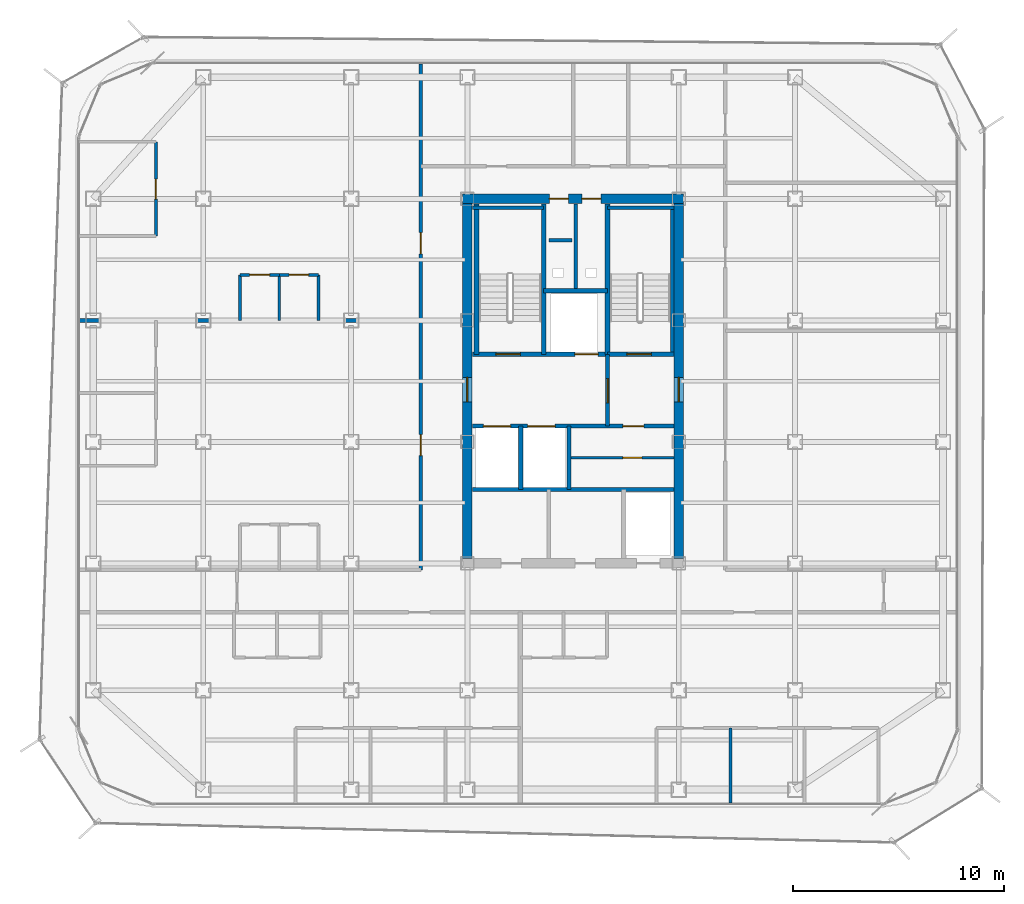
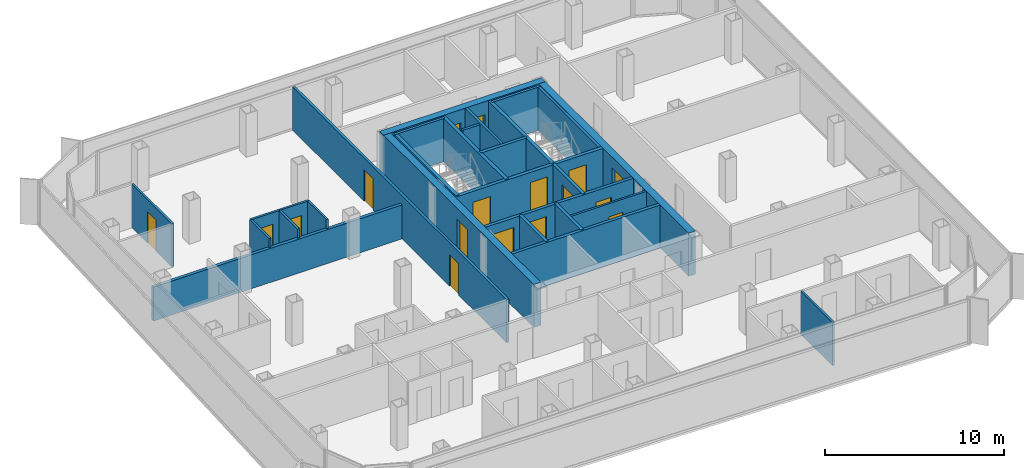
# One storey, part 11 of 15: 29 walls, 17 doors, 17 openings.
"""IFC4 building model written with IfcOpenShell, lengths in metres."""

import ifcopenshell
import ifcopenshell.guid

model = None  # the IFC model being written
_history = None  # IfcOwnerHistory: only IFC2X3 demands one
_inside = {}  # id of a spatial element -> (the spatial element, [elements in it])
_under = {}  # id of a project, library or spatial element -> (it, [spatial elements below it])
_declared = {}  # id of a project -> (the project, [libraries it declares])
_typed = {}  # id of a type object -> (the type object, [elements of that type])
_made_of = {}  # id of a material, layer set ... -> (it, [elements and type objects made of it])


def new_model(schema):
    """Start an empty IFC model of exactly this schema.

    Asked for "IFC4X3", IfcOpenShell would pick the latest addendum, in which some entities
    have other attributes; the version numbers below select the first issue.
    IFC2X3 requires an IfcOwnerHistory on every rooted entity: one is made here for all.
    """
    global model, _history
    if schema == "IFC4X3":
        model = ifcopenshell.file(schema_version=(4, 3, 0, 0))
    else:
        model = ifcopenshell.file(schema=schema)
    _inside.clear()
    _under.clear()
    _declared.clear()
    _typed.clear()
    _made_of.clear()
    _history = None
    if model.schema == "IFC2X3":
        org = make("IfcOrganization", Name="unknown")
        user = make(
            "IfcPersonAndOrganization",
            ThePerson=make("IfcPerson", FamilyName="unknown"),
            TheOrganization=org,
        )
        app = make(
            "IfcApplication",
            ApplicationDeveloper=org,
            Version="unknown",
            ApplicationFullName="unknown",
            ApplicationIdentifier="unknown",
        )
        _history = make(
            "IfcOwnerHistory",
            OwningUser=user,
            OwningApplication=app,
            ChangeAction="ADDED",
            CreationDate=0,
        )
    return model


def make(cls, **values):
    """One entity of the class cls with the attributes given. An attribute that is None is left unset."""
    return model.create_entity(
        cls, **{name: value for name, value in values.items() if value is not None}
    )


def rooted(cls, **values):
    """An entity with a GlobalId (a new one), such as an element, a storey or a relation."""
    return make(cls, GlobalId=ifcopenshell.guid.new(), OwnerHistory=_history, **values)


def si_unit(unit_type, name, prefix=None):
    """IfcSIUnit, for example si_unit("LENGTHUNIT", "METRE", prefix="MILLI")."""
    return make("IfcSIUnit", UnitType=unit_type, Prefix=prefix, Name=name)


def assignment(units):
    """IfcUnitAssignment: the units of a project."""
    return None if units is None else make("IfcUnitAssignment", Units=units)


def point(xyz):
    """IfcCartesianPoint."""
    return None if xyz is None else make("IfcCartesianPoint", Coordinates=xyz)


def direction(xyz):
    """IfcDirection."""
    return None if xyz is None else make("IfcDirection", DirectionRatios=xyz)


def frame(location, z_axis=None, x_axis=None):
    """IfcAxis2Placement3D, a coordinate frame: its origin and axes. An axis left out is left unset."""
    return make(
        "IfcAxis2Placement3D",
        Location=point(location),
        Axis=direction(z_axis),
        RefDirection=direction(x_axis),
    )


def frame_2d(location, x_axis=None):
    """IfcAxis2Placement2D, a coordinate frame in the plane: its origin and x axis."""
    return make(
        "IfcAxis2Placement2D", Location=point(location), RefDirection=direction(x_axis)
    )


def origin():
    """The frame at (0, 0, 0) with its axes left unset."""
    return frame((0.0, 0.0, 0.0))


def place(relative_to, where):
    """IfcLocalPlacement: puts the frame where relative to a parent placement (None: the world)."""
    return make(
        "IfcLocalPlacement", PlacementRelTo=relative_to, RelativePlacement=where
    )


def context(
    kind, dimensions, precision=None, world=None, true_north=None, identifier=None
):
    """IfcGeometricRepresentationContext, for example the 3D "Model" context."""
    return make(
        "IfcGeometricRepresentationContext",
        ContextIdentifier=identifier,
        ContextType=kind,
        CoordinateSpaceDimension=dimensions,
        Precision=precision,
        WorldCoordinateSystem=world,
        TrueNorth=true_north,
    )


def subcontext(parent, identifier, kind, view, scale=None):
    """IfcGeometricRepresentationSubContext, for example "Body" below "Model"."""
    return make(
        "IfcGeometricRepresentationSubContext",
        ContextIdentifier=identifier,
        ContextType=kind,
        ParentContext=parent,
        TargetScale=scale,
        TargetView=view,
    )


def project(units=None, contexts=None):
    """IfcProject with its units and contexts."""
    return rooted(
        "IfcProject",
        Name="project",
        RepresentationContexts=contexts,
        UnitsInContext=assignment(units),
    )


def spatial(cls, under=None, at=None, **own):
    """A site, building, storey or space (cls), placed at a placement, below another one or the project."""
    s = rooted(cls, ObjectPlacement=at, **own)
    if under is not None:
        _under.setdefault(under.id(), (under, []))[1].append(s)
    return s


def profile(cls, at=None, kind="AREA", **sizes):
    """A parametric profile (cls). Its sizes go by their IFC names, for example OverallWidth=200.0."""
    return make(cls, ProfileType=kind, Position=at, **sizes)


def rectangle(**sizes):
    """IfcRectangleProfileDef."""
    return profile("IfcRectangleProfileDef", **sizes)


def extrude(swept, where, along, depth):
    """IfcExtrudedAreaSolid: the profile swept, set in the frame where, extruded along a direction by depth."""
    return make(
        "IfcExtrudedAreaSolid",
        SweptArea=swept,
        Position=where,
        ExtrudedDirection=direction(along),
        Depth=depth,
    )


def shape(context_of_items, identifier, shape_type, items):
    """IfcShapeRepresentation: the items that make up one representation, for example the "Body"."""
    return make(
        "IfcShapeRepresentation",
        ContextOfItems=context_of_items,
        RepresentationIdentifier=identifier,
        RepresentationType=shape_type,
        Items=items,
    )


def material(Name=None, Category=None):
    """IfcMaterial."""
    return make("IfcMaterial", Name=Name, Category=Category)


def layer(
    of_material, thickness, ventilated=None, Name=None, Category=None, Priority=None
):
    """IfcMaterialLayer: one layer of a wall or slab, of a material (None: an air gap)."""
    return make(
        "IfcMaterialLayer",
        Material=of_material,
        LayerThickness=thickness,
        IsVentilated=ventilated,
        Name=Name,
        Category=Category,
        Priority=Priority,
    )


def layer_set(layers, Name=None):
    """IfcMaterialLayerSet."""
    return make("IfcMaterialLayerSet", MaterialLayers=layers, LayerSetName=Name)


def made_of(thing, what):
    """Note that an element or type object is made of a material, layer set ...; save() writes the relation."""
    if what is not None:
        _made_of.setdefault(what.id(), (what, []))[1].append(thing)
    return thing


def type_object(cls, material=None, **own):
    """A type object (cls), such as IfcWallType, which elements share."""
    return made_of(rooted(cls, **own), material)


def element(
    cls,
    number,
    at=None,
    inside=None,
    cuts=None,
    type_object=None,
    material=None,
    context=None,
    identifier="Body",
    shape_type=None,
    held_by="IfcProductDefinitionShape",
    body=None,
    shapes=None,
    **own,
):
    """One element of the class cls, such as IfcWall. Its Tag is "e" and its number.

    at: its placement. inside: the storey or other place that contains it. cuts: it is an
    opening in that element (IfcRelVoidsElement). A single representation is given by context,
    identifier, shape_type and body (its items); several are given by shapes. held_by: the class
    of the entity that holds the representations. save() writes the other relations.
    """
    e = rooted(cls, Tag="e%d" % number, ObjectPlacement=at, **own)
    if body is not None:
        shapes = [shape(context, identifier, shape_type, body)]
    if shapes is not None:
        e.Representation = make(held_by, Representations=shapes)
    if inside is not None:
        _inside.setdefault(inside.id(), (inside, []))[1].append(e)
    if cuts is not None:
        rooted(
            "IfcRelVoidsElement", RelatingBuildingElement=cuts, RelatedOpeningElement=e
        )
    if type_object is not None:
        _typed.setdefault(type_object.id(), (type_object, []))[1].append(e)
    return made_of(e, material)


def fill(opening, filler):
    """IfcRelFillsElement: the door or window that sits in an opening."""
    return rooted(
        "IfcRelFillsElement",
        RelatingOpeningElement=opening,
        RelatedBuildingElement=filler,
    )


def aggregate(whole, parts):
    """IfcRelAggregates: a whole, such as a stair, and the parts it consists of."""
    return rooted("IfcRelAggregates", RelatingObject=whole, RelatedObjects=parts)


def save(model, path):
    """Write the relations noted so far, then the file.

    IfcRelAggregates (storeys below a building ...), IfcRelContainedInSpatialStructure (elements
    in a storey), IfcRelDefinesByType, IfcRelAssociatesMaterial and IfcRelDeclares: one each for
    every whole, place, type object, material and project.
    """
    for whole, parts in _under.values():
        aggregate(whole, parts)
    for where, things in _inside.values():
        rooted(
            "IfcRelContainedInSpatialStructure",
            RelatedElements=things,
            RelatingStructure=where,
        )
    for kind, things in _typed.values():
        rooted("IfcRelDefinesByType", RelatedObjects=things, RelatingType=kind)
    for what, things in _made_of.values():
        rooted("IfcRelAssociatesMaterial", RelatedObjects=things, RelatingMaterial=what)
    for by, libraries in _declared.values():
        rooted("IfcRelDeclares", RelatingContext=by, RelatedDefinitions=libraries)
    model.write(path)


model = new_model("IFC4")

# Units and contexts
model_context = context("Model", 3, precision=1e-05, world=origin(), true_north=direction((0.0, 1.0)))
body_context = subcontext(model_context, "Body", "Model", "MODEL_VIEW")
ifc_project = project(units=[si_unit("LENGTHUNIT", "METRE"), si_unit("AREAUNIT", "SQUARE_METRE"), si_unit("VOLUMEUNIT", "CUBIC_METRE"), si_unit("PLANEANGLEUNIT", "RADIAN"), si_unit("MASSUNIT", "GRAM", prefix="KILO")], contexts=[model_context])

# Site, building, storey
site_placement = place(None, origin())
site = spatial("IfcSite", under=ifc_project, at=site_placement, CompositionType="ELEMENT")
building_placement = place(site_placement, origin())
building = spatial("IfcBuilding", under=site, at=building_placement, Name="Kolveth Station Tower", CompositionType="ELEMENT")
storey_placement = place(building_placement, frame((0.0, 0.0, 181.699951171875)))
storey = spatial("IfcBuildingStorey", under=building, at=storey_placement, Name="L51", CompositionType="ELEMENT", Elevation=181.699951171875)

# Wall, openings, doors
ifc_material_1 = material(Name="Concrete C50/60", Category="concrete")
ifc_layer_1 = layer(ifc_material_1, 0.449951171875)
ifc_layer_set_1 = layer_set([ifc_layer_1], Name="Concrete C50/60")
wall_type_1 = type_object("IfcWallType", Name="Wall_CW-450", PredefinedType="SHEAR", material=ifc_layer_set_1)
wall_1_placement = place(storey_placement, frame((18.27490234375, 28.75, 0.0), z_axis=(0.0, 0.0, 1.0), x_axis=(1.0, 0.0, 0.0)))
wall_1 = element("IfcWall", 1, at=wall_1_placement, inside=storey, type_object=wall_type_1, Name="L51 Core RC Shear Wall N", PredefinedType="SHEAR", context=body_context, shape_type="SweptSolid", body=[
    extrude(rectangle(XDim=10.4501953125, YDim=0.449951171875, at=frame_2d((5.22509765625, 0.0))), origin(), (0.0, 0.0, 1.0), 2.949951171875),
])
opening_1_placement = place(wall_1_placement, frame((4.10498046875, 0.0, 0.0)))
opening_1 = element("IfcOpeningElement", 2, at=opening_1_placement, cuts=wall_1, Name="Opening RD1", PredefinedType="OPENING", context=body_context, shape_type="SweptSolid", body=[
    extrude(rectangle(XDim=0.89990234375, YDim=2.050048828125, at=frame_2d((0.449951171875, 1.02490234375))), frame((0.0, 0.23486328125, 0.0), z_axis=(0.0, -1.0, 0.0), x_axis=(1.0, 0.0, 0.0)), (0.0, 0.0, 1.0), 0.469970703125),
])
opening_2_placement = place(wall_1_placement, frame((5.64501953125, 0.0, 0.0)))
opening_2 = element("IfcOpeningElement", 3, at=opening_2_placement, cuts=wall_1, Name="Opening RD1", PredefinedType="OPENING", context=body_context, shape_type="SweptSolid", body=[
    extrude(rectangle(XDim=0.89990234375, YDim=2.050048828125, at=frame_2d((0.449951171875, 1.02490234375))), frame((0.0, 0.23486328125, 0.0), z_axis=(0.0, -1.0, 0.0), x_axis=(1.0, 0.0, 0.0)), (0.0, 0.0, 1.0), 0.469970703125),
])
ifc_material_2 = material(Name="Fire-rated Steel S355 riser access leaf", Category="steel")
door_type_1 = type_object("IfcDoorType", Name="Door_RD1", OperationType="NOTDEFINED", PredefinedType="DOOR", material=ifc_material_2)
door_1_placement = place(opening_1_placement, origin())
door_1 = element("IfcDoor", 4, at=door_1_placement, inside=storey, type_object=door_type_1, Name="L51 Electrical Riser Access Door", OperationType="SINGLE_SWING_RIGHT", OverallHeight=2.050048828125, OverallWidth=0.89990234375, PredefinedType="DOOR", context=body_context, shape_type="SweptSolid", body=[
    extrude(rectangle(XDim=0.89990234375, YDim=2.050048828125, at=frame_2d((0.449951171875, 1.02490234375))), frame((0.0, 0.02490234375, 0.0), z_axis=(0.0, -1.0, 0.0), x_axis=(1.0, 0.0, 0.0)), (0.0, 0.0, 1.0), 0.050048828125),
])
fill(opening_1, door_1)
door_2_placement = place(opening_2_placement, origin())
door_2 = element("IfcDoor", 5, at=door_2_placement, inside=storey, type_object=door_type_1, Name="L51 Smoke Duct Access Door", OperationType="SINGLE_SWING_LEFT", OverallHeight=2.050048828125, OverallWidth=0.89990234375, PredefinedType="DOOR", context=body_context, shape_type="SweptSolid", body=[
    extrude(rectangle(XDim=0.89990234375, YDim=2.050048828125, at=frame_2d((0.449951171875, 1.02490234375))), frame((0.0, 0.02490234375, 0.0), z_axis=(0.0, -1.0, 0.0), x_axis=(1.0, 0.0, 0.0)), (0.0, 0.0, 1.0), 0.050048828125),
])
fill(opening_2, door_2)

# Wall, opening, door
wall_2_placement = place(storey_placement, frame((18.5, 11.72509765625, 0.0), z_axis=(0.0, 0.0, 1.0), x_axis=(0.0, 1.0, 0.0)))
wall_2 = element("IfcWall", 6, at=wall_2_placement, inside=storey, type_object=wall_type_1, Name="L51 Core RC Shear Wall W", PredefinedType="SHEAR", context=body_context, shape_type="SweptSolid", body=[
    extrude(rectangle(XDim=16.7998046875, YDim=0.449951171875, at=frame_2d((8.39990234375, 0.0))), origin(), (0.0, 0.0, 1.0), 2.949951171875),
])
opening_3_placement = place(wall_2_placement, frame((7.425048828125, 0.0, 0.0)))
opening_3 = element("IfcOpeningElement", 7, at=opening_3_placement, cuts=wall_2, Name="Opening FD1", PredefinedType="OPENING", context=body_context, shape_type="SweptSolid", body=[
    extrude(rectangle(XDim=1.14990234375, YDim=2.199951171875, at=frame_2d((0.574951171875, 1.10009765625))), frame((0.0, 0.23486328125, 0.0), z_axis=(0.0, -1.0, 0.0), x_axis=(1.0, 0.0, 0.0)), (0.0, 0.0, 1.0), 0.469970703125),
])
ifc_material_3 = material(Name="Fire-rated Steel S355 leaf and frame", Category="steel")
door_type_2 = type_object("IfcDoorType", Name="Door_FD1", OperationType="NOTDEFINED", PredefinedType="DOOR", material=ifc_material_3)
door_3_placement = place(opening_3_placement, frame((1.14990234375, 0.0, 0.0), z_axis=(0.0, 0.0, 1.0), x_axis=(-1.0, 0.0, 0.0)))
door_3 = element("IfcDoor", 8, at=door_3_placement, inside=storey, type_object=door_type_2, Name="L51 West Corridor to Firefighting Lobby Door", OperationType="SINGLE_SWING_RIGHT", OverallHeight=2.199951171875, OverallWidth=1.14990234375, PredefinedType="DOOR", context=body_context, shape_type="SweptSolid", body=[
    extrude(rectangle(XDim=1.14990234375, YDim=2.199951171875, at=frame_2d((0.574951171875, 1.10009765625))), frame((0.0, 0.02490234375, 0.0), z_axis=(0.0, -1.0, 0.0), x_axis=(1.0, 0.0, 0.0)), (0.0, 0.0, 1.0), 0.050048828125),
])
fill(opening_3, door_3)

wall_3_placement = place(storey_placement, frame((28.5, 11.72509765625, 0.0), z_axis=(0.0, 0.0, 1.0), x_axis=(0.0, 1.0, 0.0)))
wall_3 = element("IfcWall", 9, at=wall_3_placement, inside=storey, type_object=wall_type_1, Name="L51 Core RC Shear Wall E", PredefinedType="SHEAR", context=body_context, shape_type="SweptSolid", body=[
    extrude(rectangle(XDim=16.7998046875, YDim=0.449951171875, at=frame_2d((8.39990234375, 0.0))), origin(), (0.0, 0.0, 1.0), 2.949951171875),
])
opening_4_placement = place(wall_3_placement, frame((7.425048828125, 0.0, 0.0)))
opening_4 = element("IfcOpeningElement", 10, at=opening_4_placement, cuts=wall_3, Name="Opening FD1", PredefinedType="OPENING", context=body_context, shape_type="SweptSolid", body=[
    extrude(rectangle(XDim=1.14990234375, YDim=2.199951171875, at=frame_2d((0.574951171875, 1.10009765625))), frame((0.0, 0.23486328125, 0.0), z_axis=(0.0, -1.0, 0.0), x_axis=(1.0, 0.0, 0.0)), (0.0, 0.0, 1.0), 0.469970703125),
])
door_4_placement = place(opening_4_placement, origin())
door_4 = element("IfcDoor", 11, at=door_4_placement, inside=storey, type_object=door_type_2, Name="L51 East Corridor to Stair Lobby Door", OperationType="SINGLE_SWING_LEFT", OverallHeight=2.199951171875, OverallWidth=1.14990234375, PredefinedType="DOOR", context=body_context, shape_type="SweptSolid", body=[
    extrude(rectangle(XDim=1.14990234375, YDim=2.199951171875, at=frame_2d((0.574951171875, 1.10009765625))), frame((0.0, 0.02490234375, 0.0), z_axis=(0.0, -1.0, 0.0), x_axis=(1.0, 0.0, 0.0)), (0.0, 0.0, 1.0), 0.050048828125),
])
fill(opening_4, door_4)

ifc_material_4 = material(Name="Moisture-resistant gypsum partition")
ifc_layer_2 = layer(ifc_material_4, 0.135009765625)
ifc_layer_set_2 = layer_set([ifc_layer_2], Name="Moisture-resistant gypsum partition")
wall_type_2 = type_object("IfcWallType", Name="Wall_IW-135", PredefinedType="PARTITIONING", material=ifc_layer_set_2)
wall_4_placement = place(storey_placement, frame((23.300048828125, 16.5, 0.0), z_axis=(0.0, 0.0, 1.0), x_axis=(1.0, 0.0, 0.0)))
wall_4 = element("IfcWall", 12, at=wall_4_placement, inside=storey, type_object=wall_type_2, Name="L51 Partition Wall WL-L51-CB-H1", PredefinedType="PARTITIONING", context=body_context, shape_type="SweptSolid", body=[
    extrude(rectangle(XDim=4.96484375, YDim=0.135009765625, at=frame_2d((2.482421875, 0.0))), origin(), (0.0, 0.0, 1.0), 2.949951171875),
])
opening_5_placement = place(wall_4_placement, frame((2.550048828125, 0.0, 0.0)))
opening_5 = element("IfcOpeningElement", 13, at=opening_5_placement, cuts=wall_4, Name="Opening RD1", PredefinedType="OPENING", context=body_context, shape_type="SweptSolid", body=[
    extrude(rectangle(XDim=0.89990234375, YDim=2.050048828125, at=frame_2d((0.449951171875, 1.02490234375))), frame((0.0, 0.077392578125, 0.0), z_axis=(0.0, -1.0, 0.0), x_axis=(1.0, 0.0, 0.0)), (0.0, 0.0, 1.0), 0.155029296875),
])
door_5_placement = place(opening_5_placement, frame((0.89990234375, 0.0, 0.0), z_axis=(0.0, 0.0, 1.0), x_axis=(-1.0, 0.0, 0.0)))
door_5 = element("IfcDoor", 14, at=door_5_placement, inside=storey, type_object=door_type_1, Name="L51 Core Equipment Store Door", OperationType="SINGLE_SWING_LEFT", OverallHeight=2.050048828125, OverallWidth=0.89990234375, PredefinedType="DOOR", context=body_context, shape_type="SweptSolid", body=[
    extrude(rectangle(XDim=0.89990234375, YDim=2.050048828125, at=frame_2d((0.449951171875, 1.02490234375))), frame((0.0, 0.02490234375, 0.0), z_axis=(0.0, -1.0, 0.0), x_axis=(1.0, 0.0, 0.0)), (0.0, 0.0, 1.0), 0.050048828125),
])
fill(opening_5, door_5)

# Wall
wall_5_placement = place(storey_placement, frame((30.944091796875, 0.159912109375, 0.0), z_axis=(0.0, 0.0, 1.0), x_axis=(0.0, 1.0, 0.0)))
element("IfcWall", 15, at=wall_5_placement, inside=storey, type_object=wall_type_2, Name="L51 Partition Wall WL-L51-A2-BDV1", PredefinedType="PARTITIONING", context=body_context, shape_type="SweptSolid", body=[
    extrude(rectangle(XDim=3.550048828125, YDim=0.135009765625, at=frame_2d((1.77490234375, 0.0))), origin(), (0.0, 0.0, 1.0), 2.949951171875),
])

# Wall, opening, door
wall_6_placement = place(storey_placement, frame((7.75, 25.14990234375, 0.0), z_axis=(0.0, 0.0, 1.0), x_axis=(1.0, 0.0, 0.0)))
wall_6 = element("IfcWall", 16, at=wall_6_placement, inside=storey, type_object=wall_type_2, Name="L51 Partition Wall WL-L51-W2-IBHK", PredefinedType="PARTITIONING", context=body_context, shape_type="SweptSolid", body=[
    extrude(rectangle(XDim=1.85009765625, YDim=0.135009765625, at=frame_2d((0.925048828125, 0.0))), origin(), (0.0, 0.0, 1.0), 2.949951171875),
])
opening_6_placement = place(wall_6_placement, frame((0.445068359375, 0.0, 0.0)))
opening_6 = element("IfcOpeningElement", 17, at=opening_6_placement, cuts=wall_6, Name="Opening ID1", PredefinedType="OPENING", context=body_context, shape_type="SweptSolid", body=[
    extrude(rectangle(XDim=0.949951171875, YDim=2.14990234375, at=frame_2d((0.47509765625, 1.074951171875))), frame((0.0, 0.077392578125, 0.0), z_axis=(0.0, -1.0, 0.0), x_axis=(1.0, 0.0, 0.0)), (0.0, 0.0, 1.0), 0.155029296875),
])
ifc_material_5 = material(Name="Acoustic hardwood leaf and aluminium frame", Category="wood")
door_type_3 = type_object("IfcDoorType", Name="Door_ID1", OperationType="NOTDEFINED", PredefinedType="DOOR", material=ifc_material_5)
door_6_placement = place(opening_6_placement, origin())
door_6 = element("IfcDoor", 18, at=door_6_placement, inside=storey, type_object=door_type_3, Name="Penthouse Flat L51-W2 Kitchen Door", OperationType="SINGLE_SWING_LEFT", OverallHeight=2.14990234375, OverallWidth=0.949951171875, PredefinedType="DOOR", context=body_context, shape_type="SweptSolid", body=[
    extrude(rectangle(XDim=0.949951171875, YDim=2.14990234375, at=frame_2d((0.47509765625, 1.074951171875))), frame((0.0, 0.02490234375, 0.0), z_axis=(0.0, -1.0, 0.0), x_axis=(1.0, 0.0, 0.0)), (0.0, 0.0, 1.0), 0.050048828125),
])
fill(opening_6, door_6)

wall_7_placement = place(storey_placement, frame((9.60009765625, 25.14990234375, 0.0), z_axis=(0.0, 0.0, 1.0), x_axis=(1.0, 0.0, 0.0)))
wall_7 = element("IfcWall", 19, at=wall_7_placement, inside=storey, type_object=wall_type_2, Name="L51 Partition Wall WL-L51-W2-IBHB", PredefinedType="PARTITIONING", context=body_context, shape_type="SweptSolid", body=[
    extrude(rectangle(XDim=1.849853515625, YDim=0.135009765625, at=frame_2d((0.9248046875, 0.0))), origin(), (0.0, 0.0, 1.0), 2.949951171875),
])
opening_7_placement = place(wall_7_placement, frame((0.465087890625, 0.0, 0.0)))
opening_7 = element("IfcOpeningElement", 20, at=opening_7_placement, cuts=wall_7, Name="Opening ID2", PredefinedType="OPENING", context=body_context, shape_type="SweptSolid", body=[
    extrude(rectangle(XDim=0.919921875, YDim=2.10009765625, at=frame_2d((0.4599609375, 1.050048828125))), frame((0.0, 0.077392578125, 0.0), z_axis=(0.0, -1.0, 0.0), x_axis=(1.0, 0.0, 0.0)), (0.0, 0.0, 1.0), 0.155029296875),
])
ifc_material_6 = material(Name="Moisture-resistant hardwood leaf", Category="wood")
door_type_4 = type_object("IfcDoorType", Name="Door_ID2", OperationType="NOTDEFINED", PredefinedType="DOOR", material=ifc_material_6)
door_7_placement = place(opening_7_placement, origin())
door_7 = element("IfcDoor", 21, at=door_7_placement, inside=storey, type_object=door_type_4, Name="Penthouse Flat L51-W2 Bathroom Door", OperationType="SINGLE_SWING_RIGHT", OverallHeight=2.10009765625, OverallWidth=0.919921875, PredefinedType="DOOR", context=body_context, shape_type="SweptSolid", body=[
    extrude(rectangle(XDim=0.919921875, YDim=2.10009765625, at=frame_2d((0.4599609375, 1.050048828125))), frame((0.0, 0.02490234375, 0.0), z_axis=(0.0, -1.0, 0.0), x_axis=(1.0, 0.0, 0.0)), (0.0, 0.0, 1.0), 0.050048828125),
])
fill(opening_7, door_7)

# Walls
for number, where, z_axis, x_axis, name in (
    (22, (7.75, 23.0, 0.0), (0.0, 0.0, 1.0), (0.0, 1.0, 0.0), "L51 Partition Wall WL-L51-W2-IBV0"),
    (23, (9.60009765625, 23.0, 0.0), (0.0, 0.0, 1.0), (0.0, 1.0, 0.0), "L51 Partition Wall WL-L51-W2-IBV1"),
    (24, (11.449951171875, 23.0, 0.0), (0.0, 0.0, 1.0), (0.0, 1.0, 0.0), "L51 Partition Wall WL-L51-W2-IBV2"),
):
    element("IfcWall", number, at=place(storey_placement, frame(where, z_axis=z_axis, x_axis=x_axis)), inside=storey, type_object=wall_type_2, Name=name, PredefinedType="PARTITIONING", context=body_context, shape_type="SweptSolid", body=[
        extrude(rectangle(XDim=2.14990234375, YDim=0.135009765625, at=frame_2d((1.074951171875, 0.0))), origin(), (0.0, 0.0, 1.0), 2.949951171875),
    ])

# Wall, opening, door
wall_8_placement = place(storey_placement, frame((3.760009765625, 26.986083984375, 0.0), z_axis=(0.0, 0.0, 1.0), x_axis=(0.0, 1.0, 0.0)))
wall_8 = element("IfcWall", 25, at=wall_8_placement, inside=storey, type_object=wall_type_2, Name="L51 Partition Wall WL-L51-W2-BDV1", PredefinedType="PARTITIONING", context=body_context, shape_type="SweptSolid", body=[
    extrude(rectangle(XDim=4.4638671875, YDim=0.135009765625, at=frame_2d((2.23193359375, 0.0))), origin(), (0.0, 0.0, 1.0), 2.949951171875),
])
opening_8_placement = place(wall_8_placement, frame((1.751953125, 0.0, 0.0)))
opening_8 = element("IfcOpeningElement", 26, at=opening_8_placement, cuts=wall_8, Name="Opening ID1", PredefinedType="OPENING", context=body_context, shape_type="SweptSolid", body=[
    extrude(rectangle(XDim=0.949951171875, YDim=2.14990234375, at=frame_2d((0.47509765625, 1.074951171875))), frame((0.0, 0.077392578125, 0.0), z_axis=(0.0, -1.0, 0.0), x_axis=(1.0, 0.0, 0.0)), (0.0, 0.0, 1.0), 0.155029296875),
])
door_8_placement = place(opening_8_placement, origin())
door_8 = element("IfcDoor", 27, at=door_8_placement, inside=storey, type_object=door_type_3, Name="Penthouse Flat L51-W2 Bedroom 1 Door", OperationType="SINGLE_SWING_LEFT", OverallHeight=2.14990234375, OverallWidth=0.949951171875, PredefinedType="DOOR", context=body_context, shape_type="SweptSolid", body=[
    extrude(rectangle(XDim=0.949951171875, YDim=2.14990234375, at=frame_2d((0.47509765625, 1.074951171875))), frame((0.0, 0.02490234375, 0.0), z_axis=(0.0, -1.0, 0.0), x_axis=(1.0, 0.0, 0.0)), (0.0, 0.0, 1.0), 0.050048828125),
])
fill(opening_8, door_8)

# Walls
ifc_material_7 = material(Name="Acoustic double-stud gypsum partition")
ifc_layer_3 = layer(ifc_material_7, 0.1650390625)
ifc_layer_set_3 = layer_set([ifc_layer_3], Name="Acoustic double-stud gypsum partition")
wall_type_3 = type_object("IfcWallType", Name="Wall_IW-165", PredefinedType="PARTITIONING", material=ifc_layer_set_3)
wall_9_placement = place(storey_placement, frame((18.735107421875, 28.3349609375, 0.0), z_axis=(0.0, 0.0, 1.0), x_axis=(1.0, 0.0, 0.0)))
element("IfcWall", 28, at=wall_9_placement, inside=storey, type_object=wall_type_3, Name="L51 Stair Shaft Wall WL-L51-ST1-N", PredefinedType="PARTITIONING", context=body_context, shape_type="SweptSolid", body=[
    extrude(rectangle(XDim=3.375, YDim=0.1650390625, at=frame_2d((1.6875, 0.0))), origin(), (0.0, 0.0, 1.0), 2.949951171875),
])
wall_10_placement = place(storey_placement, frame((25.1298828125, 28.3349609375, 0.0), z_axis=(0.0, 0.0, 1.0), x_axis=(1.0, 0.0, 0.0)))
element("IfcWall", 29, at=wall_10_placement, inside=storey, type_object=wall_type_3, Name="L51 Stair Shaft Wall WL-L51-ST2-N", PredefinedType="PARTITIONING", context=body_context, shape_type="SweptSolid", body=[
    extrude(rectangle(XDim=3.135009765625, YDim=0.1650390625, at=frame_2d((1.5673828125, 0.0))), origin(), (0.0, 0.0, 1.0), 2.949951171875),
])
wall_11_placement = place(storey_placement, frame((28.1826171875, 21.389892578125, 0.0), z_axis=(0.0, 0.0, 1.0), x_axis=(0.0, 1.0, 0.0)))
element("IfcWall", 30, at=wall_11_placement, inside=storey, type_object=wall_type_3, Name="L51 Stair Shaft Wall WL-L51-ST2-E", PredefinedType="PARTITIONING", context=body_context, shape_type="SweptSolid", body=[
    extrude(rectangle(XDim=6.945068359375, YDim=0.1650390625, at=frame_2d((3.47265625, 0.0))), origin(), (0.0, 0.0, 1.0), 2.949951171875),
])
wall_12_placement = place(storey_placement, frame((23.6201171875, 24.39990234375, 0.0), z_axis=(0.0, 0.0, 1.0), x_axis=(0.0, 1.0, 0.0)))
element("IfcWall", 31, at=wall_12_placement, inside=storey, type_object=wall_type_3, Name="L51 Partition Wall WL-L51-RSR-M", PredefinedType="PARTITIONING", context=body_context, shape_type="SweptSolid", body=[
    extrude(rectangle(XDim=4.114990234375, YDim=0.1650390625, at=frame_2d((2.0576171875, 0.0))), origin(), (0.0, 0.0, 1.0), 2.949951171875),
])

# Wall, openings, doors
wall_13_placement = place(storey_placement, frame((16.300048828125, 11.199951171875, 0.0), z_axis=(0.0, 0.0, 1.0), x_axis=(0.0, 1.0, 0.0)))
wall_13 = element("IfcWall", 32, at=wall_13_placement, inside=storey, type_object=wall_type_3, Name="L51 Partition Wall WL-L51-RW", PredefinedType="PARTITIONING", context=body_context, shape_type="SweptSolid", body=[
    extrude(rectangle(XDim=23.93994140625, YDim=0.1650390625, at=frame_2d((11.969970703125, 0.0))), origin(), (0.0, 0.0, 1.0), 2.949951171875),
])
opening_9_placement = place(wall_13_placement, frame((5.39990234375, 0.0, 0.0)))
opening_9 = element("IfcOpeningElement", 33, at=opening_9_placement, cuts=wall_13, Name="Opening FD3", PredefinedType="OPENING", context=body_context, shape_type="SweptSolid", body=[
    extrude(rectangle(XDim=1.0, YDim=2.14990234375, at=frame_2d((0.5, 1.074951171875))), frame((0.0, 0.092529296875, 0.0), z_axis=(0.0, -1.0, 0.0), x_axis=(1.0, 0.0, 0.0)), (0.0, 0.0, 1.0), 0.18505859375),
])
opening_10_placement = place(wall_13_placement, frame((14.949951171875, 0.0, 0.0)))
opening_10 = element("IfcOpeningElement", 34, at=opening_10_placement, cuts=wall_13, Name="Opening FD3", PredefinedType="OPENING", context=body_context, shape_type="SweptSolid", body=[
    extrude(rectangle(XDim=1.0, YDim=2.14990234375, at=frame_2d((0.5, 1.074951171875))), frame((0.0, 0.092529296875, 0.0), z_axis=(0.0, -1.0, 0.0), x_axis=(1.0, 0.0, 0.0)), (0.0, 0.0, 1.0), 0.18505859375),
])
ifc_material_8 = material(Name="Fire-rated hardwood leaf and aluminium frame", Category="wood")
door_type_5 = type_object("IfcDoorType", Name="Door_FD3", OperationType="NOTDEFINED", PredefinedType="DOOR", material=ifc_material_8)
door_9_placement = place(opening_9_placement, origin())
door_9 = element("IfcDoor", 35, at=door_9_placement, inside=storey, type_object=door_type_5, Name="Penthouse Flat L51-W1 Entrance Door", OperationType="SINGLE_SWING_LEFT", OverallHeight=2.14990234375, OverallWidth=1.0, PredefinedType="DOOR", context=body_context, shape_type="SweptSolid", body=[
    extrude(rectangle(XDim=1.0, YDim=2.14990234375, at=frame_2d((0.5, 1.074951171875))), frame((0.0, 0.02490234375, 0.0), z_axis=(0.0, -1.0, 0.0), x_axis=(1.0, 0.0, 0.0)), (0.0, 0.0, 1.0), 0.050048828125),
])
fill(opening_9, door_9)
door_10_placement = place(opening_10_placement, origin())
door_10 = element("IfcDoor", 36, at=door_10_placement, inside=storey, type_object=door_type_5, Name="Penthouse Flat L51-W2 Entrance Door", OperationType="SINGLE_SWING_RIGHT", OverallHeight=2.14990234375, OverallWidth=1.0, PredefinedType="DOOR", context=body_context, shape_type="SweptSolid", body=[
    extrude(rectangle(XDim=1.0, YDim=2.14990234375, at=frame_2d((0.5, 1.074951171875))), frame((0.0, 0.02490234375, 0.0), z_axis=(0.0, -1.0, 0.0), x_axis=(1.0, 0.0, 0.0)), (0.0, 0.0, 1.0), 0.050048828125),
])
fill(opening_10, door_10)

# Walls
wall_14_placement = place(storey_placement, frame((22.35009765625, 26.800048828125, 0.0), z_axis=(0.0, 0.0, 1.0), x_axis=(1.0, 0.0, 0.0)))
element("IfcWall", 37, at=wall_14_placement, inside=storey, type_object=wall_type_3, Name="L51 Acoustic Riser Dry-Lining Wall", PredefinedType="PARTITIONING", context=body_context, shape_type="SweptSolid", body=[
    extrude(rectangle(XDim=1.099853515625, YDim=0.1650390625, at=frame_2d((0.5498046875, 0.0))), origin(), (0.0, 0.0, 1.0), 2.949951171875),
])
ifc_material_9 = material(Name="Acoustic fire-rated gypsum blockwork", Category="masonry")
ifc_layer_4 = layer(ifc_material_9, 0.199951171875)
ifc_layer_set_4 = layer_set([ifc_layer_4], Name="Acoustic fire-rated gypsum blockwork")
wall_type_4 = type_object("IfcWallType", Name="Wall_IW-200", PredefinedType="PARTITIONING", material=ifc_layer_set_4)
wall_15_placement = place(storey_placement, frame((22.110107421875, 24.39990234375, 0.0), z_axis=(0.0, 0.0, 1.0), x_axis=(1.0, 0.0, 0.0)))
element("IfcWall", 38, at=wall_15_placement, inside=storey, type_object=wall_type_4, Name="L51 Partition Wall WL-L51-RSR-S", PredefinedType="PARTITIONING", context=body_context, shape_type="SweptSolid", body=[
    extrude(rectangle(XDim=3.019775390625, YDim=0.199951171875, at=frame_2d((1.509765625, 0.0))), origin(), (0.0, 0.0, 1.0), 2.949951171875),
])

# Wall, opening, door
wall_16_placement = place(storey_placement, frame((25.1298828125, 18.0, 0.0), z_axis=(0.0, 0.0, 1.0), x_axis=(0.0, 1.0, 0.0)))
wall_16 = element("IfcWall", 39, at=wall_16_placement, inside=storey, type_object=wall_type_4, Name="L51 Partition Wall WL-L51-FFL-E", PredefinedType="PARTITIONING", context=body_context, shape_type="SweptSolid", body=[
    extrude(rectangle(XDim=3.389892578125, YDim=0.199951171875, at=frame_2d((1.69482421875, 0.0))), origin(), (0.0, 0.0, 1.0), 2.949951171875),
])
opening_11_placement = place(wall_16_placement, frame((1.10009765625, 0.0, 0.0)))
opening_11 = element("IfcOpeningElement", 40, at=opening_11_placement, cuts=wall_16, Name="Opening FD1", PredefinedType="OPENING", context=body_context, shape_type="SweptSolid", body=[
    extrude(rectangle(XDim=1.14990234375, YDim=2.199951171875, at=frame_2d((0.574951171875, 1.10009765625))), frame((0.0, 0.10986328125, 0.0), z_axis=(0.0, -1.0, 0.0), x_axis=(1.0, 0.0, 0.0)), (0.0, 0.0, 1.0), 0.219970703125),
])
door_11_placement = place(opening_11_placement, origin())
door_11 = element("IfcDoor", 41, at=door_11_placement, inside=storey, type_object=door_type_2, Name="L51 Firefighting to Stair Lobby Door", OperationType="SINGLE_SWING_LEFT", OverallHeight=2.199951171875, OverallWidth=1.14990234375, PredefinedType="DOOR", context=body_context, shape_type="SweptSolid", body=[
    extrude(rectangle(XDim=1.14990234375, YDim=2.199951171875, at=frame_2d((0.574951171875, 1.10009765625))), frame((0.0, 0.02490234375, 0.0), z_axis=(0.0, -1.0, 0.0), x_axis=(1.0, 0.0, 0.0)), (0.0, 0.0, 1.0), 0.050048828125),
])
fill(opening_11, door_11)

# Wall, openings, doors
wall_17_placement = place(storey_placement, frame((18.735107421875, 18.0, 0.0), z_axis=(0.0, 0.0, 1.0), x_axis=(1.0, 0.0, 0.0)))
wall_17 = element("IfcWall", 42, at=wall_17_placement, inside=storey, type_object=wall_type_4, Name="L51 Partition Wall WL-L51-FFL-S", PredefinedType="PARTITIONING", context=body_context, shape_type="SweptSolid", body=[
    extrude(rectangle(XDim=9.52978515625, YDim=0.199951171875, at=frame_2d((4.764892578125, 0.0))), origin(), (0.0, 0.0, 1.0), 2.949951171875),
])
opening_12_placement = place(wall_17_placement, frame((0.514892578125, 0.0, 0.0)))
opening_12 = element("IfcOpeningElement", 43, at=opening_12_placement, cuts=wall_17, Name="Opening LD2", PredefinedType="OPENING", context=body_context, shape_type="SweptSolid", body=[
    extrude(rectangle(XDim=1.300048828125, YDim=2.300048828125, at=frame_2d((0.64990234375, 1.14990234375))), frame((0.0, 0.10986328125, 0.0), z_axis=(0.0, -1.0, 0.0), x_axis=(1.0, 0.0, 0.0)), (0.0, 0.0, 1.0), 0.219970703125),
])
opening_13_placement = place(wall_17_placement, frame((2.614990234375, 0.0, 0.0)))
opening_13 = element("IfcOpeningElement", 44, at=opening_13_placement, cuts=wall_17, Name="Opening LD2", PredefinedType="OPENING", context=body_context, shape_type="SweptSolid", body=[
    extrude(rectangle(XDim=1.300048828125, YDim=2.300048828125, at=frame_2d((0.64990234375, 1.14990234375))), frame((0.0, 0.10986328125, 0.0), z_axis=(0.0, -1.0, 0.0), x_axis=(1.0, 0.0, 0.0)), (0.0, 0.0, 1.0), 0.219970703125),
])
opening_14_placement = place(wall_17_placement, frame((7.114990234375, 0.0, 0.0)))
opening_14 = element("IfcOpeningElement", 45, at=opening_14_placement, cuts=wall_17, Name="Opening FD3", PredefinedType="OPENING", context=body_context, shape_type="SweptSolid", body=[
    extrude(rectangle(XDim=1.0, YDim=2.14990234375, at=frame_2d((0.5, 1.074951171875))), frame((0.0, 0.10986328125, 0.0), z_axis=(0.0, -1.0, 0.0), x_axis=(1.0, 0.0, 0.0)), (0.0, 0.0, 1.0), 0.219970703125),
])
door_12_placement = place(opening_14_placement, frame((1.0, 0.0, 0.0), z_axis=(0.0, 0.0, 1.0), x_axis=(-1.0, 0.0, 0.0)))
door_12 = element("IfcDoor", 46, at=door_12_placement, inside=storey, type_object=door_type_5, Name="L51 Core Linen and Supply Store Door", OperationType="SINGLE_SWING_RIGHT", OverallHeight=2.14990234375, OverallWidth=1.0, PredefinedType="DOOR", context=body_context, shape_type="SweptSolid", body=[
    extrude(rectangle(XDim=1.0, YDim=2.14990234375, at=frame_2d((0.5, 1.074951171875))), frame((0.0, 0.02490234375, 0.0), z_axis=(0.0, -1.0, 0.0), x_axis=(1.0, 0.0, 0.0)), (0.0, 0.0, 1.0), 0.050048828125),
])
fill(opening_14, door_12)
ifc_material_10 = material(Name="Firefighting stainless steel sliding landing doors", Category="steel")
door_type_6 = type_object("IfcDoorType", Name="Door_LD2", OperationType="NOTDEFINED", PredefinedType="DOOR", material=ifc_material_10)
door_13_placement = place(opening_12_placement, origin())
door_13 = element("IfcDoor", 47, at=door_13_placement, inside=storey, type_object=door_type_6, Name="L51 Firefighting Lift FF1 Landing Door", OperationType="DOUBLE_DOOR_SLIDING", OverallHeight=2.300048828125, OverallWidth=1.300048828125, PredefinedType="DOOR", context=body_context, shape_type="SweptSolid", body=[
    extrude(rectangle(XDim=1.300048828125, YDim=2.300048828125, at=frame_2d((0.64990234375, 1.14990234375))), frame((0.0, 0.02490234375, 0.0), z_axis=(0.0, -1.0, 0.0), x_axis=(1.0, 0.0, 0.0)), (0.0, 0.0, 1.0), 0.050048828125),
])
fill(opening_12, door_13)
door_14_placement = place(opening_13_placement, origin())
door_14 = element("IfcDoor", 48, at=door_14_placement, inside=storey, type_object=door_type_6, Name="L51 Firefighting Lift FF2 Landing Door", OperationType="DOUBLE_DOOR_SLIDING", OverallHeight=2.300048828125, OverallWidth=1.300048828125, PredefinedType="DOOR", context=body_context, shape_type="SweptSolid", body=[
    extrude(rectangle(XDim=1.300048828125, YDim=2.300048828125, at=frame_2d((0.64990234375, 1.14990234375))), frame((0.0, 0.02490234375, 0.0), z_axis=(0.0, -1.0, 0.0), x_axis=(1.0, 0.0, 0.0)), (0.0, 0.0, 1.0), 0.050048828125),
])
fill(opening_13, door_14)

# Walls
for number, where, z_axis, x_axis, name in (
    (49, (21.02001953125, 15.0, 0.0), (0.0, 0.0, 1.0), (0.0, 1.0, 0.0), "L51 Partition Wall WL-L51-FF12"),
    (50, (23.300048828125, 15.0, 0.0), (0.0, 0.0, 1.0), (0.0, 1.0, 0.0), "L51 Partition Wall WL-L51-FF2E"),
):
    element("IfcWall", number, at=place(storey_placement, frame(where, z_axis=z_axis, x_axis=x_axis)), inside=storey, type_object=wall_type_4, Name=name, PredefinedType="PARTITIONING", context=body_context, shape_type="SweptSolid", body=[
        extrude(rectangle(XDim=3.0, YDim=0.199951171875, at=frame_2d((1.5, 0.0))), origin(), (0.0, 0.0, 1.0), 2.949951171875),
    ])
wall_18_placement = place(storey_placement, frame((18.735107421875, 15.0, 0.0), z_axis=(0.0, 0.0, 1.0), x_axis=(1.0, 0.0, 0.0)))
element("IfcWall", 51, at=wall_18_placement, inside=storey, type_object=wall_type_4, Name="L51 Partition Wall WL-L51-BOH-S", PredefinedType="PARTITIONING", context=body_context, shape_type="SweptSolid", body=[
    extrude(rectangle(XDim=9.52978515625, YDim=0.199951171875, at=frame_2d((4.764892578125, 0.0))), origin(), (0.0, 0.0, 1.0), 2.949951171875),
])
wall_19_placement = place(storey_placement, frame((0.159912109375, 23.0, 0.0), z_axis=(0.0, 0.0, 1.0), x_axis=(1.0, 0.0, 0.0)))
element("IfcWall", 52, at=wall_19_placement, inside=storey, type_object=wall_type_4, Name="L51 Partition Wall WL-L51-RWU-1", PredefinedType="PARTITIONING", context=body_context, shape_type="SweptSolid", body=[
    extrude(rectangle(XDim=16.14013671875, YDim=0.199951171875, at=frame_2d((8.070068359375, 0.0))), origin(), (0.0, 0.0, 1.0), 2.322998046875),
])
ifc_material_11 = material(Name="Concrete C40/50", Category="concrete")
ifc_layer_5 = layer(ifc_material_11, 0.219970703125)
ifc_layer_set_5 = layer_set([ifc_layer_5], Name="Concrete C40/50")
wall_type_5 = type_object("IfcWallType", Name="Wall_IW-220", PredefinedType="SOLIDWALL", material=ifc_layer_set_5)
for number, where, z_axis, x_axis, name in (
    (53, (18.929931640625, 21.389892578125, 0.0), (0.0, 0.0, 1.0), (0.0, 1.0, 0.0), "L51 Stair Shaft Wall WL-L51-ST1-W"),
    (54, (22.110107421875, 21.389892578125, 0.0), (0.0, 0.0, 1.0), (0.0, 1.0, 0.0), "L51 Stair Shaft Wall WL-L51-ST1-E"),
    (55, (25.1298828125, 21.389892578125, 0.0), (0.0, 0.0, 1.0), (0.0, 1.0, 0.0), "L51 Stair Shaft Wall WL-L51-ST2-W"),
):
    element("IfcWall", number, at=place(storey_placement, frame(where, z_axis=z_axis, x_axis=x_axis)), inside=storey, type_object=wall_type_5, Name=name, PredefinedType="SOLIDWALL", context=body_context, shape_type="SweptSolid", body=[
        extrude(rectangle(XDim=7.110107421875, YDim=0.219970703125, at=frame_2d((3.55517578125, 0.0))), origin(), (0.0, 0.0, 1.0), 2.949951171875),
    ])

# Wall, openings, doors
wall_20_placement = place(storey_placement, frame((18.735107421875, 21.389892578125, 0.0), z_axis=(0.0, 0.0, 1.0), x_axis=(1.0, 0.0, 0.0)))
wall_20 = element("IfcWall", 56, at=wall_20_placement, inside=storey, type_object=wall_type_5, Name="L51 Stair Shaft Wall WL-L51-ST1-S", PredefinedType="SOLIDWALL", context=body_context, shape_type="SweptSolid", body=[
    extrude(rectangle(XDim=6.394775390625, YDim=0.219970703125, at=frame_2d((3.197265625, 0.0))), origin(), (0.0, 0.0, 1.0), 2.949951171875),
])
opening_15_placement = place(wall_20_placement, frame((1.114990234375, 0.0, 0.0)))
opening_15 = element("IfcOpeningElement", 57, at=opening_15_placement, cuts=wall_20, Name="Opening FD1", PredefinedType="OPENING", context=body_context, shape_type="SweptSolid", body=[
    extrude(rectangle(XDim=1.14990234375, YDim=2.199951171875, at=frame_2d((0.574951171875, 1.10009765625))), frame((0.0, 0.119873046875, 0.0), z_axis=(0.0, -1.0, 0.0), x_axis=(1.0, 0.0, 0.0)), (0.0, 0.0, 1.0), 0.239990234375),
])
opening_16_placement = place(wall_20_placement, frame((4.844970703125, 0.0, 0.0)))
opening_16 = element("IfcOpeningElement", 58, at=opening_16_placement, cuts=wall_20, Name="Opening LD1", PredefinedType="OPENING", context=body_context, shape_type="SweptSolid", body=[
    extrude(rectangle(XDim=1.10009765625, YDim=2.25, at=frame_2d((0.550048828125, 1.125))), frame((0.0, 0.119873046875, 0.0), z_axis=(0.0, -1.0, 0.0), x_axis=(1.0, 0.0, 0.0)), (0.0, 0.0, 1.0), 0.239990234375),
])
door_15_placement = place(opening_15_placement, frame((1.14990234375, 0.0, 0.0), z_axis=(0.0, 0.0, 1.0), x_axis=(-1.0, 0.0, 0.0)))
door_15 = element("IfcDoor", 59, at=door_15_placement, inside=storey, type_object=door_type_2, Name="L51 Stair ST1 Fire Door", OperationType="SINGLE_SWING_LEFT", OverallHeight=2.199951171875, OverallWidth=1.14990234375, PredefinedType="DOOR", context=body_context, shape_type="SweptSolid", body=[
    extrude(rectangle(XDim=1.14990234375, YDim=2.199951171875, at=frame_2d((0.574951171875, 1.10009765625))), frame((0.0, 0.02490234375, 0.0), z_axis=(0.0, -1.0, 0.0), x_axis=(1.0, 0.0, 0.0)), (0.0, 0.0, 1.0), 0.050048828125),
])
fill(opening_15, door_15)
ifc_material_12 = material(Name="Brushed stainless steel sliding landing doors", Category="steel")
door_type_7 = type_object("IfcDoorType", Name="Door_LD1", OperationType="NOTDEFINED", PredefinedType="DOOR", material=ifc_material_12)
door_16_placement = place(opening_16_placement, frame((1.10009765625, 0.0, 0.0), z_axis=(0.0, 0.0, 1.0), x_axis=(-1.0, 0.0, 0.0)))
door_16 = element("IfcDoor", 60, at=door_16_placement, inside=storey, type_object=door_type_7, Name="L51 Service Lift SV1 Landing Door", OperationType="DOUBLE_DOOR_SLIDING", OverallHeight=2.25, OverallWidth=1.10009765625, PredefinedType="DOOR", context=body_context, shape_type="SweptSolid", body=[
    extrude(rectangle(XDim=1.10009765625, YDim=2.25, at=frame_2d((0.550048828125, 1.125))), frame((0.0, 0.02490234375, 0.0), z_axis=(0.0, -1.0, 0.0), x_axis=(1.0, 0.0, 0.0)), (0.0, 0.0, 1.0), 0.050048828125),
])
fill(opening_16, door_16)

# Wall, opening, door
wall_21_placement = place(storey_placement, frame((25.1298828125, 21.389892578125, 0.0), z_axis=(0.0, 0.0, 1.0), x_axis=(1.0, 0.0, 0.0)))
wall_21 = element("IfcWall", 61, at=wall_21_placement, inside=storey, type_object=wall_type_5, Name="L51 Stair Shaft Wall WL-L51-ST2-S", PredefinedType="SOLIDWALL", context=body_context, shape_type="SweptSolid", body=[
    extrude(rectangle(XDim=3.135009765625, YDim=0.219970703125, at=frame_2d((1.5673828125, 0.0))), origin(), (0.0, 0.0, 1.0), 2.949951171875),
])
opening_17_placement = place(wall_21_placement, frame((0.919921875, 0.0, 0.0)))
opening_17 = element("IfcOpeningElement", 62, at=opening_17_placement, cuts=wall_21, Name="Opening FD1", PredefinedType="OPENING", context=body_context, shape_type="SweptSolid", body=[
    extrude(rectangle(XDim=1.14990234375, YDim=2.199951171875, at=frame_2d((0.574951171875, 1.10009765625))), frame((0.0, 0.119873046875, 0.0), z_axis=(0.0, -1.0, 0.0), x_axis=(1.0, 0.0, 0.0)), (0.0, 0.0, 1.0), 0.239990234375),
])
door_17_placement = place(opening_17_placement, frame((1.14990234375, 0.0, 0.0), z_axis=(0.0, 0.0, 1.0), x_axis=(-1.0, 0.0, 0.0)))
door_17 = element("IfcDoor", 63, at=door_17_placement, inside=storey, type_object=door_type_2, Name="L51 Stair ST2 Fire Door", OperationType="SINGLE_SWING_RIGHT", OverallHeight=2.199951171875, OverallWidth=1.14990234375, PredefinedType="DOOR", context=body_context, shape_type="SweptSolid", body=[
    extrude(rectangle(XDim=1.14990234375, YDim=2.199951171875, at=frame_2d((0.574951171875, 1.10009765625))), frame((0.0, 0.02490234375, 0.0), z_axis=(0.0, -1.0, 0.0), x_axis=(1.0, 0.0, 0.0)), (0.0, 0.0, 1.0), 0.050048828125),
])
fill(opening_17, door_17)

save(model, "model.ifc")
